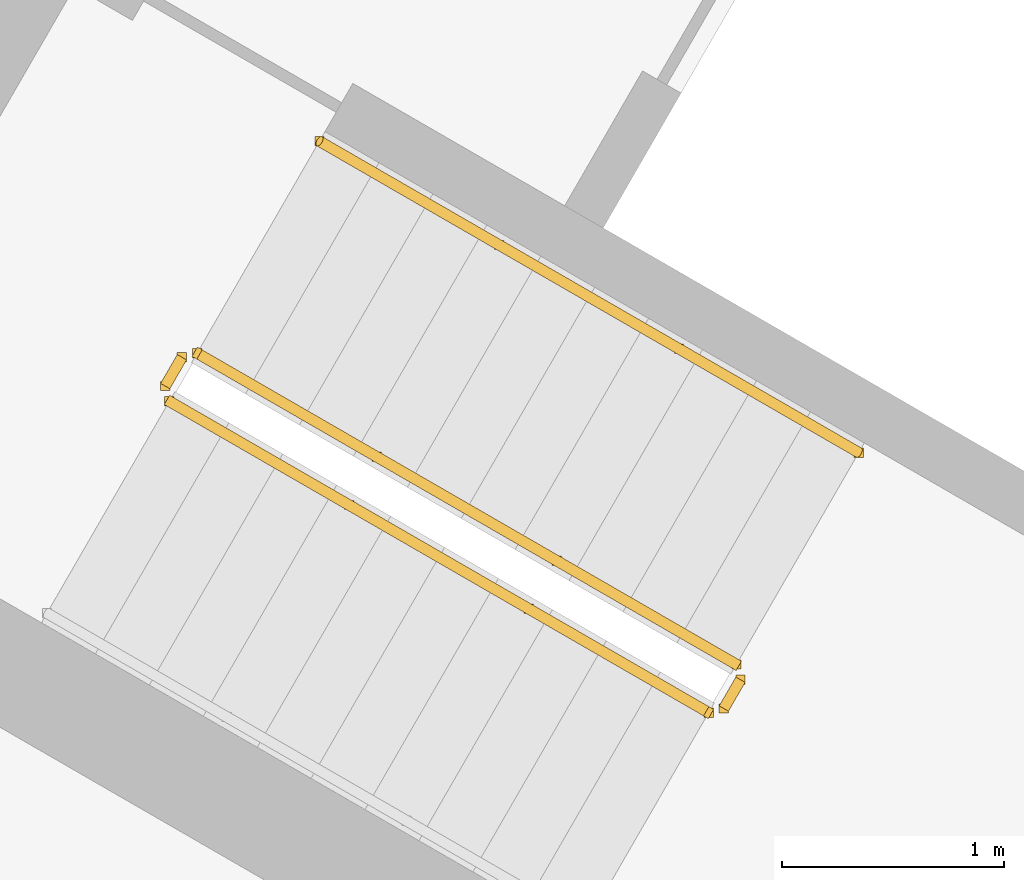
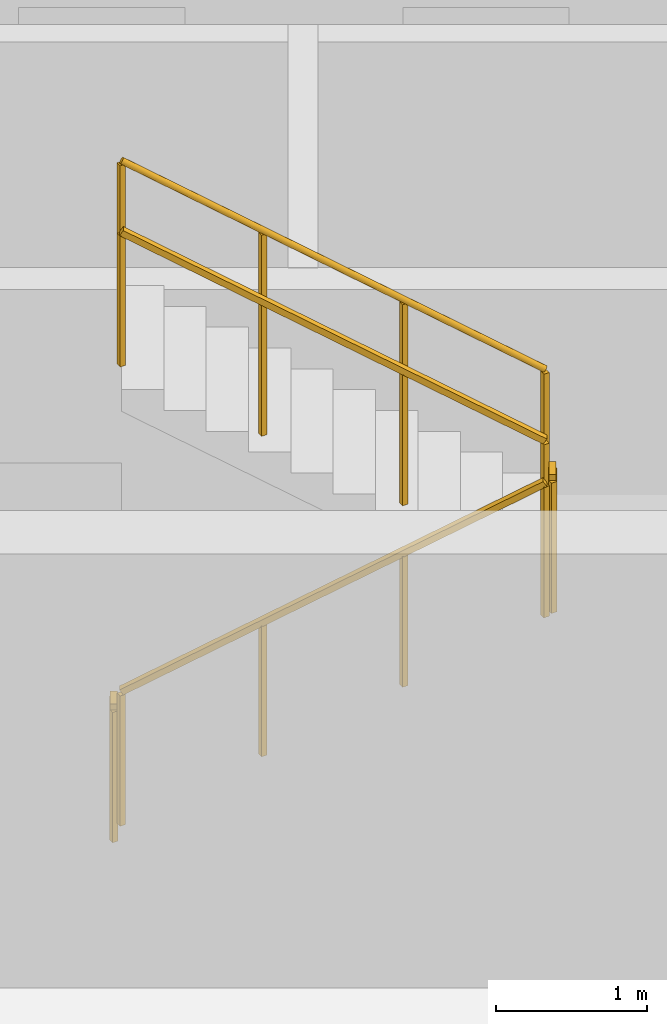
# One storey, part 11 of 13: 5 railings.
"""IFC4 building model written with IfcOpenShell, lengths in metres."""

import ifcopenshell
import ifcopenshell.guid

model = None  # the IFC model being written
_history = None  # IfcOwnerHistory: only IFC2X3 demands one
_inside = {}  # id of a spatial element -> (the spatial element, [elements in it])
_under = {}  # id of a project, library or spatial element -> (it, [spatial elements below it])
_declared = {}  # id of a project -> (the project, [libraries it declares])
_typed = {}  # id of a type object -> (the type object, [elements of that type])
_made_of = {}  # id of a material, layer set ... -> (it, [elements and type objects made of it])


def new_model(schema):
    """Start an empty IFC model of exactly this schema.

    Asked for "IFC4X3", IfcOpenShell would pick the latest addendum, in which some entities
    have other attributes; the version numbers below select the first issue.
    IFC2X3 requires an IfcOwnerHistory on every rooted entity: one is made here for all.
    """
    global model, _history
    if schema == "IFC4X3":
        model = ifcopenshell.file(schema_version=(4, 3, 0, 0))
    else:
        model = ifcopenshell.file(schema=schema)
    _inside.clear()
    _under.clear()
    _declared.clear()
    _typed.clear()
    _made_of.clear()
    _history = None
    if model.schema == "IFC2X3":
        org = make("IfcOrganization", Name="unknown")
        user = make(
            "IfcPersonAndOrganization",
            ThePerson=make("IfcPerson", FamilyName="unknown"),
            TheOrganization=org,
        )
        app = make(
            "IfcApplication",
            ApplicationDeveloper=org,
            Version="unknown",
            ApplicationFullName="unknown",
            ApplicationIdentifier="unknown",
        )
        _history = make(
            "IfcOwnerHistory",
            OwningUser=user,
            OwningApplication=app,
            ChangeAction="ADDED",
            CreationDate=0,
        )
    return model


def make(cls, **values):
    """One entity of the class cls with the attributes given. An attribute that is None is left unset."""
    return model.create_entity(
        cls, **{name: value for name, value in values.items() if value is not None}
    )


def rooted(cls, **values):
    """An entity with a GlobalId (a new one), such as an element, a storey or a relation."""
    return make(cls, GlobalId=ifcopenshell.guid.new(), OwnerHistory=_history, **values)


def si_unit(unit_type, name, prefix=None):
    """IfcSIUnit, for example si_unit("LENGTHUNIT", "METRE", prefix="MILLI")."""
    return make("IfcSIUnit", UnitType=unit_type, Prefix=prefix, Name=name)


def assignment(units):
    """IfcUnitAssignment: the units of a project."""
    return None if units is None else make("IfcUnitAssignment", Units=units)


def point(xyz):
    """IfcCartesianPoint."""
    return None if xyz is None else make("IfcCartesianPoint", Coordinates=xyz)


def direction(xyz):
    """IfcDirection."""
    return None if xyz is None else make("IfcDirection", DirectionRatios=xyz)


def frame(location, z_axis=None, x_axis=None):
    """IfcAxis2Placement3D, a coordinate frame: its origin and axes. An axis left out is left unset."""
    return make(
        "IfcAxis2Placement3D",
        Location=point(location),
        Axis=direction(z_axis),
        RefDirection=direction(x_axis),
    )


def frame_2d(location, x_axis=None):
    """IfcAxis2Placement2D, a coordinate frame in the plane: its origin and x axis."""
    return make(
        "IfcAxis2Placement2D", Location=point(location), RefDirection=direction(x_axis)
    )


def origin():
    """The frame at (0, 0, 0) with its axes left unset."""
    return frame((0.0, 0.0, 0.0))


def origin_2d():
    """The frame at (0, 0) in the plane with its x axis left unset."""
    return frame_2d((0.0, 0.0))


def place(relative_to, where):
    """IfcLocalPlacement: puts the frame where relative to a parent placement (None: the world)."""
    return make(
        "IfcLocalPlacement", PlacementRelTo=relative_to, RelativePlacement=where
    )


def context(
    kind, dimensions, precision=None, world=None, true_north=None, identifier=None
):
    """IfcGeometricRepresentationContext, for example the 3D "Model" context."""
    return make(
        "IfcGeometricRepresentationContext",
        ContextIdentifier=identifier,
        ContextType=kind,
        CoordinateSpaceDimension=dimensions,
        Precision=precision,
        WorldCoordinateSystem=world,
        TrueNorth=true_north,
    )


def subcontext(parent, identifier, kind, view, scale=None):
    """IfcGeometricRepresentationSubContext, for example "Body" below "Model"."""
    return make(
        "IfcGeometricRepresentationSubContext",
        ContextIdentifier=identifier,
        ContextType=kind,
        ParentContext=parent,
        TargetScale=scale,
        TargetView=view,
    )


def project(units=None, contexts=None):
    """IfcProject with its units and contexts."""
    return rooted(
        "IfcProject",
        Name="project",
        RepresentationContexts=contexts,
        UnitsInContext=assignment(units),
    )


def spatial(cls, under=None, at=None, **own):
    """A site, building, storey or space (cls), placed at a placement, below another one or the project."""
    s = rooted(cls, ObjectPlacement=at, **own)
    if under is not None:
        _under.setdefault(under.id(), (under, []))[1].append(s)
    return s


def profile(cls, at=None, kind="AREA", **sizes):
    """A parametric profile (cls). Its sizes go by their IFC names, for example OverallWidth=200.0."""
    return make(cls, ProfileType=kind, Position=at, **sizes)


def rectangle(**sizes):
    """IfcRectangleProfileDef."""
    return profile("IfcRectangleProfileDef", **sizes)


def circle(**sizes):
    """IfcCircleProfileDef."""
    return profile("IfcCircleProfileDef", **sizes)


def extrude(swept, where, along, depth):
    """IfcExtrudedAreaSolid: the profile swept, set in the frame where, extruded along a direction by depth."""
    return make(
        "IfcExtrudedAreaSolid",
        SweptArea=swept,
        Position=where,
        ExtrudedDirection=direction(along),
        Depth=depth,
    )


def shape(context_of_items, identifier, shape_type, items):
    """IfcShapeRepresentation: the items that make up one representation, for example the "Body"."""
    return make(
        "IfcShapeRepresentation",
        ContextOfItems=context_of_items,
        RepresentationIdentifier=identifier,
        RepresentationType=shape_type,
        Items=items,
    )


def material(Name=None, Category=None):
    """IfcMaterial."""
    return make("IfcMaterial", Name=Name, Category=Category)


def made_of(thing, what):
    """Note that an element or type object is made of a material, layer set ...; save() writes the relation."""
    if what is not None:
        _made_of.setdefault(what.id(), (what, []))[1].append(thing)
    return thing


def type_object(cls, material=None, **own):
    """A type object (cls), such as IfcWallType, which elements share."""
    return made_of(rooted(cls, **own), material)


def element(
    cls,
    number,
    at=None,
    inside=None,
    cuts=None,
    type_object=None,
    material=None,
    context=None,
    identifier="Body",
    shape_type=None,
    held_by="IfcProductDefinitionShape",
    body=None,
    shapes=None,
    **own,
):
    """One element of the class cls, such as IfcWall. Its Tag is "e" and its number.

    at: its placement. inside: the storey or other place that contains it. cuts: it is an
    opening in that element (IfcRelVoidsElement). A single representation is given by context,
    identifier, shape_type and body (its items); several are given by shapes. held_by: the class
    of the entity that holds the representations. save() writes the other relations.
    """
    e = rooted(cls, Tag="e%d" % number, ObjectPlacement=at, **own)
    if body is not None:
        shapes = [shape(context, identifier, shape_type, body)]
    if shapes is not None:
        e.Representation = make(held_by, Representations=shapes)
    if inside is not None:
        _inside.setdefault(inside.id(), (inside, []))[1].append(e)
    if cuts is not None:
        rooted(
            "IfcRelVoidsElement", RelatingBuildingElement=cuts, RelatedOpeningElement=e
        )
    if type_object is not None:
        _typed.setdefault(type_object.id(), (type_object, []))[1].append(e)
    return made_of(e, material)


def aggregate(whole, parts):
    """IfcRelAggregates: a whole, such as a stair, and the parts it consists of."""
    return rooted("IfcRelAggregates", RelatingObject=whole, RelatedObjects=parts)


def save(model, path):
    """Write the relations noted so far, then the file.

    IfcRelAggregates (storeys below a building ...), IfcRelContainedInSpatialStructure (elements
    in a storey), IfcRelDefinesByType, IfcRelAssociatesMaterial and IfcRelDeclares: one each for
    every whole, place, type object, material and project.
    """
    for whole, parts in _under.values():
        aggregate(whole, parts)
    for where, things in _inside.values():
        rooted(
            "IfcRelContainedInSpatialStructure",
            RelatedElements=things,
            RelatingStructure=where,
        )
    for kind, things in _typed.values():
        rooted("IfcRelDefinesByType", RelatedObjects=things, RelatingType=kind)
    for what, things in _made_of.values():
        rooted("IfcRelAssociatesMaterial", RelatedObjects=things, RelatingMaterial=what)
    for by, libraries in _declared.values():
        rooted("IfcRelDeclares", RelatingContext=by, RelatedDefinitions=libraries)
    model.write(path)


model = new_model("IFC4")

# Units and contexts
model_context = context("Model", 3, precision=1e-05, world=origin(), true_north=direction((0.0, 1.0)))
body_context = subcontext(model_context, "Body", "Model", "MODEL_VIEW")
ifc_project = project(units=[si_unit("LENGTHUNIT", "METRE"), si_unit("AREAUNIT", "SQUARE_METRE"), si_unit("VOLUMEUNIT", "CUBIC_METRE"), si_unit("PLANEANGLEUNIT", "RADIAN"), si_unit("MASSUNIT", "GRAM", prefix="KILO")], contexts=[model_context])

# Site, building, storey
site_placement = place(None, origin())
site = spatial("IfcSite", under=ifc_project, at=site_placement, CompositionType="ELEMENT")
building_placement = place(site_placement, origin())
building = spatial("IfcBuilding", under=site, at=building_placement, Name="Apuvela Tower Hotel", CompositionType="ELEMENT")
storey_placement = place(building_placement, frame((0.0, 0.0, 61.300048828125)))
storey = spatial("IfcBuildingStorey", under=building, at=storey_placement, Name="L12", CompositionType="ELEMENT", Elevation=61.300048828125)

# Railings
ifc_material_1 = material(Name="Steel S275 balustrade", Category="steel")
railing_type_1 = type_object("IfcRailingType", Name="COR-GUARD-1100", PredefinedType="GUARDRAIL", material=ifc_material_1)
railing_1_placement = place(storey_placement, frame((10.718994140625, -10.63427734375, 0.168212890625)))
element("IfcRailing", 1, at=railing_1_placement, inside=storey, type_object=railing_type_1, Name="L12 ST3 stair guard 1", PredefinedType="GUARDRAIL", context=body_context, shape_type="SweptSolid", body=[
    extrude(rectangle(XDim=0.048095703125, YDim=0.048095703125, at=origin_2d()), frame((0.0, 0.0, 1.076171875), z_axis=(0.74241905619, -0.428617687091, 0.514879426), x_axis=(0.49998411664, 0.866034573852, 0.0)), (0.0, 0.0, 1.0), 3.26611328125),
    extrude(rectangle(XDim=0.0419921875, YDim=0.0419921875, at=origin_2d()), origin(), (0.0, 0.0, 1.0), 1.052001953125),
    extrude(rectangle(XDim=0.0419921875, YDim=0.0419921875, at=origin_2d()), frame((0.808349609375, -0.466552734375, 0.560546875)), (0.0, 0.0, 1.0), 1.052001953125),
    extrude(rectangle(XDim=0.0419921875, YDim=0.0419921875, at=origin_2d()), frame((1.616455078125, -0.933349609375, 1.12109375)), (0.0, 0.0, 1.0), 1.052001953125),
    extrude(rectangle(XDim=0.0419921875, YDim=0.0419921875, at=origin_2d()), frame((2.4248046875, -1.39990234375, 1.681640625)), (0.0, 0.0, 1.0), 1.052001953125),
])
railing_2_placement = place(storey_placement, frame((13.212158203125, -12.015869140625, 1.849853515625)))
element("IfcRailing", 2, at=railing_2_placement, inside=storey, type_object=railing_type_1, Name="L12 ST3 stair guard 2", PredefinedType="GUARDRAIL", context=body_context, shape_type="SweptSolid", body=[
    extrude(rectangle(XDim=0.048095703125, YDim=0.048095703125, at=origin_2d()), frame((0.0, 0.0, 1.076171875), z_axis=(0.499816412211, 0.866131372301, 0.0), x_axis=(-0.866131372301, 0.499816412211, 0.0)), (0.0, 0.0, 1.0), 0.14990234375),
    extrude(rectangle(XDim=0.0419921875, YDim=0.0419921875, at=origin_2d()), origin(), (0.0, 0.0, 1.0), 1.052001953125),
    extrude(rectangle(XDim=0.0419921875, YDim=0.0419921875, at=origin_2d()), frame((0.074951171875, 0.1298828125, 0.0)), (0.0, 0.0, 1.0), 1.052001953125),
])
railing_3_placement = place(storey_placement, frame((13.268798828125, -11.817626953125, 2.01806640625)))
element("IfcRailing", 3, at=railing_3_placement, inside=storey, type_object=railing_type_1, Name="L12 ST3 stair guard 3", PredefinedType="GUARDRAIL", context=body_context, shape_type="SweptSolid", body=[
    extrude(rectangle(XDim=0.048095703125, YDim=0.048095703125, at=origin_2d()), frame((0.0, 0.0, 1.076171875), z_axis=(-0.742390482028, 0.42860119049, 0.514934356695), x_axis=(-0.49998411664, -0.866034573852, 0.0)), (0.0, 0.0, 1.0), 3.26611328125),
    extrude(rectangle(XDim=0.0419921875, YDim=0.0419921875, at=origin_2d()), origin(), (0.0, 0.0, 1.0), 1.052001953125),
    extrude(rectangle(XDim=0.0419921875, YDim=0.0419921875, at=origin_2d()), frame((-0.808349609375, 0.466552734375, 0.560546875)), (0.0, 0.0, 1.0), 1.052001953125),
    extrude(rectangle(XDim=0.0419921875, YDim=0.0419921875, at=origin_2d()), frame((-1.616455078125, 0.933349609375, 1.121337890625)), (0.0, 0.0, 1.0), 1.052001953125),
    extrude(rectangle(XDim=0.0419921875, YDim=0.0419921875, at=origin_2d()), frame((-2.4248046875, 1.39990234375, 1.681884765625)), (0.0, 0.0, 1.0), 1.052001953125),
])
railing_4_placement = place(storey_placement, frame((10.70068359375, -10.56591796875, 0.0)))
element("IfcRailing", 4, at=railing_4_placement, inside=storey, type_object=railing_type_1, Name="L12 ST3 stair guard 4", PredefinedType="GUARDRAIL", context=body_context, shape_type="SweptSolid", body=[
    extrude(rectangle(XDim=0.048095703125, YDim=0.048095703125, at=origin_2d()), frame((0.0, 0.0, 1.076171875), z_axis=(0.499816412211, 0.866131372301, 0.0), x_axis=(-0.866131372301, 0.499816412211, 0.0)), (0.0, 0.0, 1.0), 0.14990234375),
    extrude(rectangle(XDim=0.0419921875, YDim=0.0419921875, at=origin_2d()), origin(), (0.0, 0.0, 1.0), 1.052001953125),
    extrude(rectangle(XDim=0.0419921875, YDim=0.0419921875, at=origin_2d()), frame((0.074951171875, 0.1298828125, 0.0)), (0.0, 0.0, 1.0), 1.052001953125),
])
ifc_material_2 = material(Name="Stainless steel 316 handrail", Category="steel")
railing_type_2 = type_object("IfcRailingType", Name="COR-HANDRAIL-900", PredefinedType="HANDRAIL", material=ifc_material_2)
railing_5_placement = place(storey_placement, frame((13.81884765625, -10.864990234375, 2.01806640625)))
element("IfcRailing", 5, at=railing_5_placement, inside=storey, type_object=railing_type_2, Name="L12 ST3 stair handrail 2", PredefinedType="HANDRAIL", context=body_context, shape_type="SweptSolid", body=[
    extrude(circle(Radius=0.02392578125, at=origin_2d()), frame((0.0, 0.0, 0.8759765625), z_axis=(-0.742390482028, 0.42860119049, 0.514934356695), x_axis=(-0.49998411664, -0.866034573852, 0.0)), (0.0, 0.0, 1.0), 3.26611328125),
    extrude(rectangle(XDim=0.0419921875, YDim=0.0419921875, at=origin_2d()), origin(), (0.0, 0.0, 1.0), 0.851806640625),
    extrude(rectangle(XDim=0.0419921875, YDim=0.0419921875, at=origin_2d()), frame((-0.808349609375, 0.466552734375, 0.560546875)), (0.0, 0.0, 1.0), 0.851806640625),
    extrude(rectangle(XDim=0.0419921875, YDim=0.0419921875, at=origin_2d()), frame((-1.616455078125, 0.933349609375, 1.121337890625)), (0.0, 0.0, 1.0), 0.851806640625),
    extrude(rectangle(XDim=0.0419921875, YDim=0.0419921875, at=origin_2d()), frame((-2.4248046875, 1.39990234375, 1.681884765625)), (0.0, 0.0, 1.0), 0.851806640625),
])

save(model, "model.ifc")
